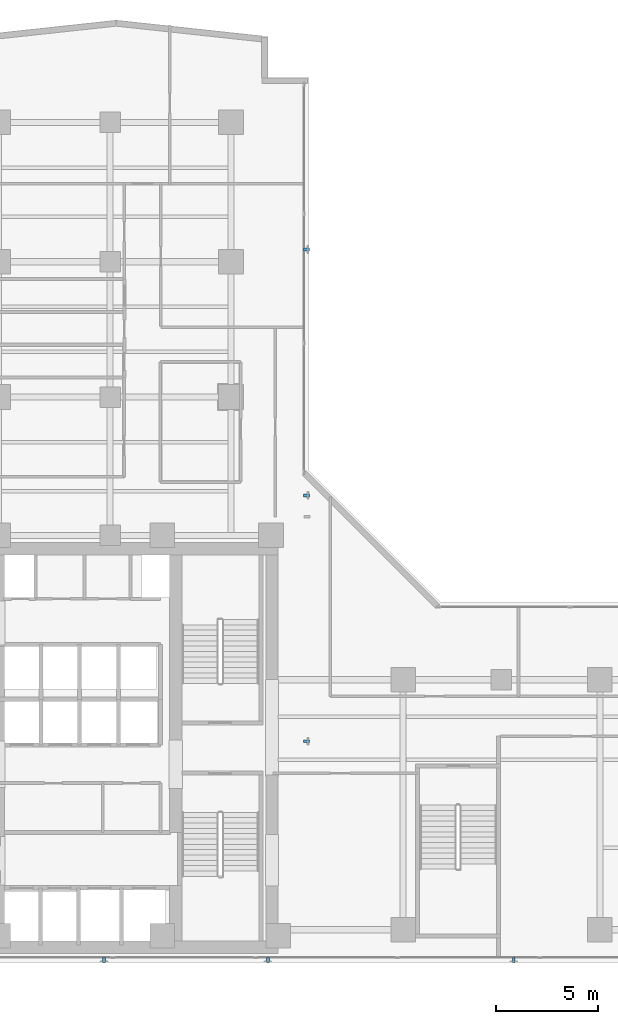
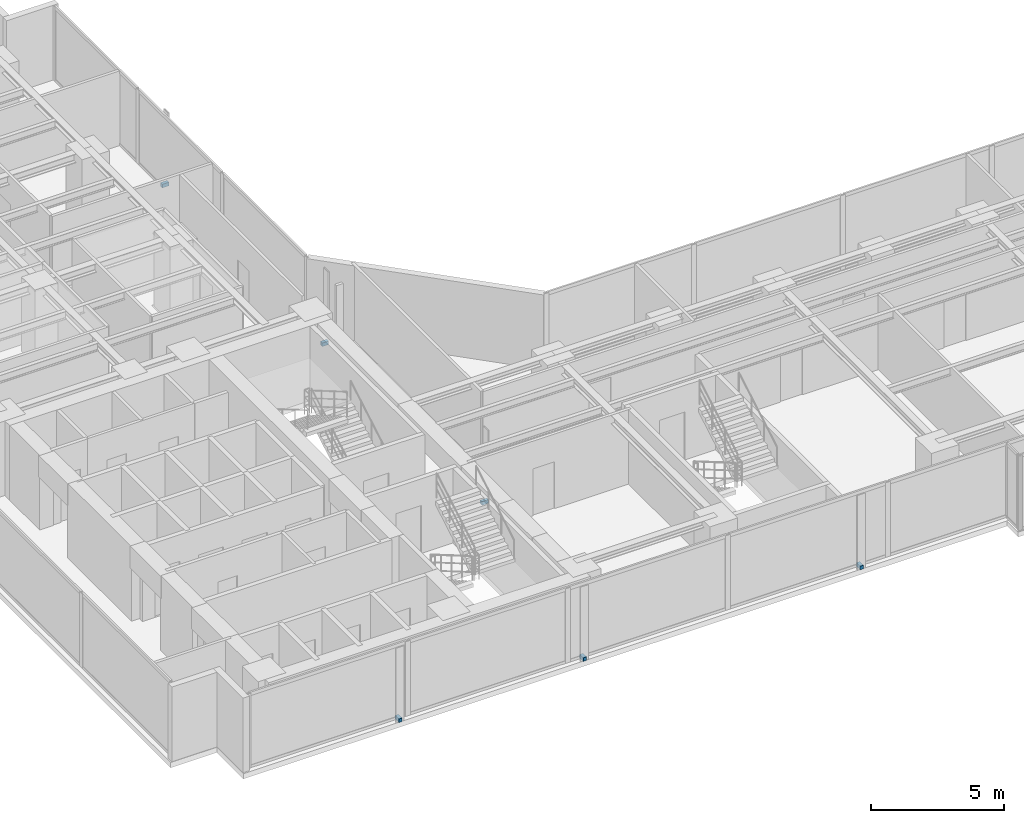
# One storey, part 22 of 26: 6 discrete accessories.
"""IFC4 building model written with IfcOpenShell, lengths in metres."""

from ifc_helpers import new_model, si_unit, direction, frame, origin, origin_with_axes, origin_2d, place, context, subcontext, project, spatial, rectangle, extrude, source, transform, mapped, material, type_object, element, save


model = new_model("IFC4")

# Units and contexts
model_context = context("Model", 3, precision=1e-05, world=origin(), true_north=direction((0.0, 1.0)))
body_context = subcontext(model_context, "Body", "Model", "MODEL_VIEW")
ifc_project = project(units=[si_unit("LENGTHUNIT", "METRE"), si_unit("AREAUNIT", "SQUARE_METRE"), si_unit("VOLUMEUNIT", "CUBIC_METRE"), si_unit("PLANEANGLEUNIT", "RADIAN"), si_unit("MASSUNIT", "GRAM", prefix="KILO")], contexts=[model_context])

# Site, building, storey
site_placement = place(None, origin())
site = spatial("IfcSite", under=ifc_project, at=site_placement, CompositionType="ELEMENT")
building_placement = place(site_placement, origin())
building = spatial("IfcBuilding", under=site, at=building_placement, Name="Kolvaren Waterfront Exchange", CompositionType="ELEMENT")
storey_placement = place(building_placement, frame((0.0, 0.0, 195.60009765625)))
storey = spatial("IfcBuildingStorey", under=building, at=storey_placement, Name="L50", CompositionType="ELEMENT", Elevation=195.60009765625)

# Discrete accessories
ifc_material = material(Name="Stainless steel 316", Category="steel")
discrete_accessory_type = type_object("IfcDiscreteAccessoryType", Name="ARC-BRK-FIN", PredefinedType="BRACKET", material=ifc_material)
shared_shape = source(origin_with_axes(), body_context, "Body", "SweptSolid", [
    extrude(rectangle(XDim=0.280029296875, YDim=0.139892578125, at=origin_2d()), origin(), (0.0, 0.0, 1.0), 0.159912109375),
])
for number, where, z_axis, x_axis, name in (
    (1, (12.60009765625, 3.719970703125, 0.0), (0.0, 0.0, 1.0), (0.0, -1.0, 0.0), "L50 bronze fin anchor bracket FIN-L50-S1"),
    (2, (20.60009765625, 3.719970703125, 0.0), (0.0, 0.0, 1.0), (0.0, -1.0, 0.0), "L50 bronze fin anchor bracket FIN-L50-S2"),
    (3, (32.60009765625, 3.719970703125, 0.0), (0.0, 0.0, 1.0), (0.0, -1.0, 0.0), "L50 bronze fin anchor bracket FIN-L50-S3"),
    (4, (22.47998046875, 14.39990234375, 0.0), (0.0, 0.0, 1.0), (1.0, 0.0, 0.0), "L50 bronze fin anchor bracket FIN-L50-E1"),
    (5, (22.47998046875, 26.39990234375, 0.0), (0.0, 0.0, 1.0), (1.0, 0.0, 0.0), "L50 bronze fin anchor bracket FIN-L50-E2"),
    (6, (22.47998046875, 38.39990234375, 0.0), (0.0, 0.0, 1.0), (1.0, 0.0, 0.0), "L50 bronze fin anchor bracket FIN-L50-E3"),
):
    element("IfcDiscreteAccessory", number, at=place(storey_placement, frame(where, z_axis=z_axis, x_axis=x_axis)), inside=storey, type_object=discrete_accessory_type, Name=name, PredefinedType="BRACKET", context=body_context, shape_type="MappedRepresentation", body=[
        mapped(shared_shape, transform((0.0, 0.0, 0.0), x_axis=(1.0, 0.0, 0.0), y_axis=(0.0, 1.0, 0.0), z_axis=(0.0, 0.0, 1.0), scale=1.0)),
    ])

save(model, "model.ifc")
